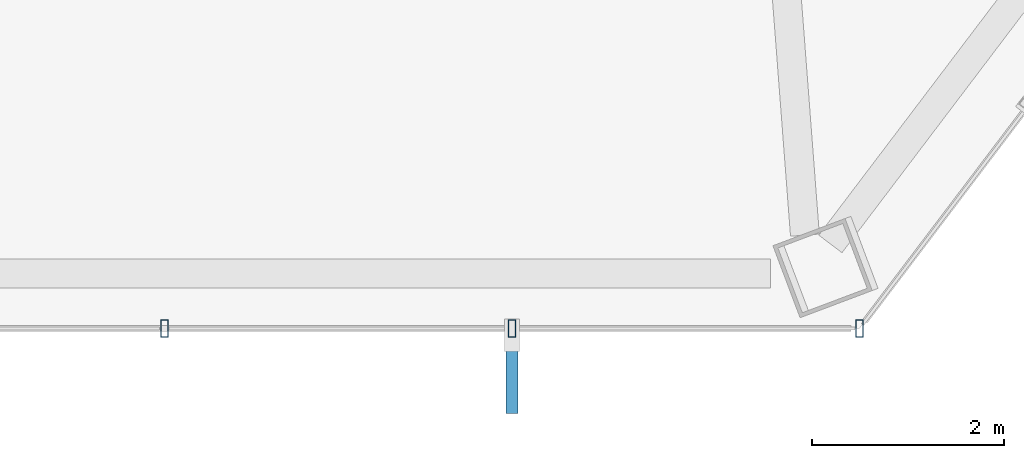
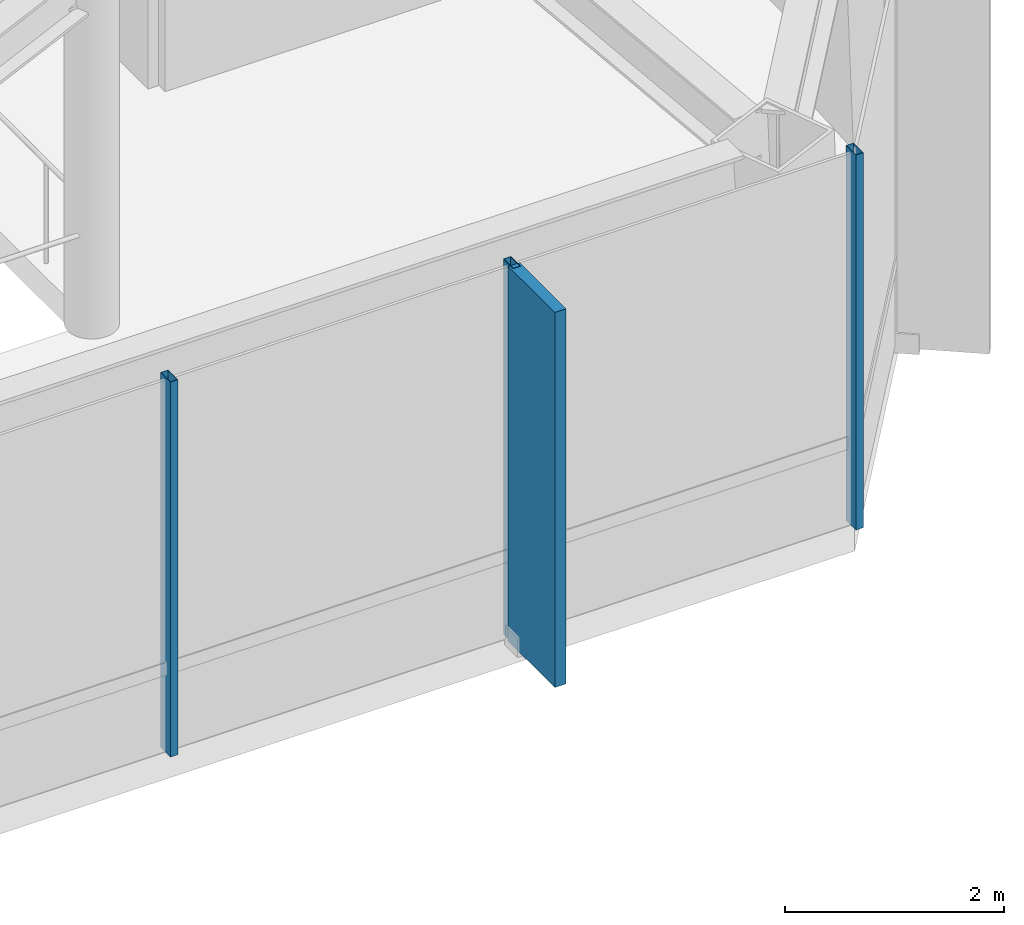
# One storey, part 8 of 25: 4 members, 1 element without a shape of its own.
"""IFC4 building model written with IfcOpenShell, lengths in metres."""

import ifcopenshell
import ifcopenshell.guid

model = None  # the IFC model being written
_history = None  # IfcOwnerHistory: only IFC2X3 demands one
_inside = {}  # id of a spatial element -> (the spatial element, [elements in it])
_under = {}  # id of a project, library or spatial element -> (it, [spatial elements below it])
_declared = {}  # id of a project -> (the project, [libraries it declares])
_typed = {}  # id of a type object -> (the type object, [elements of that type])
_made_of = {}  # id of a material, layer set ... -> (it, [elements and type objects made of it])


def new_model(schema):
    """Start an empty IFC model of exactly this schema.

    Asked for "IFC4X3", IfcOpenShell would pick the latest addendum, in which some entities
    have other attributes; the version numbers below select the first issue.
    IFC2X3 requires an IfcOwnerHistory on every rooted entity: one is made here for all.
    """
    global model, _history
    if schema == "IFC4X3":
        model = ifcopenshell.file(schema_version=(4, 3, 0, 0))
    else:
        model = ifcopenshell.file(schema=schema)
    _inside.clear()
    _under.clear()
    _declared.clear()
    _typed.clear()
    _made_of.clear()
    _history = None
    if model.schema == "IFC2X3":
        org = make("IfcOrganization", Name="unknown")
        user = make(
            "IfcPersonAndOrganization",
            ThePerson=make("IfcPerson", FamilyName="unknown"),
            TheOrganization=org,
        )
        app = make(
            "IfcApplication",
            ApplicationDeveloper=org,
            Version="unknown",
            ApplicationFullName="unknown",
            ApplicationIdentifier="unknown",
        )
        _history = make(
            "IfcOwnerHistory",
            OwningUser=user,
            OwningApplication=app,
            ChangeAction="ADDED",
            CreationDate=0,
        )
    return model


def make(cls, **values):
    """One entity of the class cls with the attributes given. An attribute that is None is left unset."""
    return model.create_entity(
        cls, **{name: value for name, value in values.items() if value is not None}
    )


def rooted(cls, **values):
    """An entity with a GlobalId (a new one), such as an element, a storey or a relation."""
    return make(cls, GlobalId=ifcopenshell.guid.new(), OwnerHistory=_history, **values)


def si_unit(unit_type, name, prefix=None):
    """IfcSIUnit, for example si_unit("LENGTHUNIT", "METRE", prefix="MILLI")."""
    return make("IfcSIUnit", UnitType=unit_type, Prefix=prefix, Name=name)


def assignment(units):
    """IfcUnitAssignment: the units of a project."""
    return None if units is None else make("IfcUnitAssignment", Units=units)


def point(xyz):
    """IfcCartesianPoint."""
    return None if xyz is None else make("IfcCartesianPoint", Coordinates=xyz)


def direction(xyz):
    """IfcDirection."""
    return None if xyz is None else make("IfcDirection", DirectionRatios=xyz)


def frame(location, z_axis=None, x_axis=None):
    """IfcAxis2Placement3D, a coordinate frame: its origin and axes. An axis left out is left unset."""
    return make(
        "IfcAxis2Placement3D",
        Location=point(location),
        Axis=direction(z_axis),
        RefDirection=direction(x_axis),
    )


def frame_2d(location, x_axis=None):
    """IfcAxis2Placement2D, a coordinate frame in the plane: its origin and x axis."""
    return make(
        "IfcAxis2Placement2D", Location=point(location), RefDirection=direction(x_axis)
    )


def origin():
    """The frame at (0, 0, 0) with its axes left unset."""
    return frame((0.0, 0.0, 0.0))


def origin_2d():
    """The frame at (0, 0) in the plane with its x axis left unset."""
    return frame_2d((0.0, 0.0))


def place(relative_to, where):
    """IfcLocalPlacement: puts the frame where relative to a parent placement (None: the world)."""
    return make(
        "IfcLocalPlacement", PlacementRelTo=relative_to, RelativePlacement=where
    )


def context(
    kind, dimensions, precision=None, world=None, true_north=None, identifier=None
):
    """IfcGeometricRepresentationContext, for example the 3D "Model" context."""
    return make(
        "IfcGeometricRepresentationContext",
        ContextIdentifier=identifier,
        ContextType=kind,
        CoordinateSpaceDimension=dimensions,
        Precision=precision,
        WorldCoordinateSystem=world,
        TrueNorth=true_north,
    )


def subcontext(parent, identifier, kind, view, scale=None):
    """IfcGeometricRepresentationSubContext, for example "Body" below "Model"."""
    return make(
        "IfcGeometricRepresentationSubContext",
        ContextIdentifier=identifier,
        ContextType=kind,
        ParentContext=parent,
        TargetScale=scale,
        TargetView=view,
    )


def project(units=None, contexts=None):
    """IfcProject with its units and contexts."""
    return rooted(
        "IfcProject",
        Name="project",
        RepresentationContexts=contexts,
        UnitsInContext=assignment(units),
    )


def spatial(cls, under=None, at=None, **own):
    """A site, building, storey or space (cls), placed at a placement, below another one or the project."""
    s = rooted(cls, ObjectPlacement=at, **own)
    if under is not None:
        _under.setdefault(under.id(), (under, []))[1].append(s)
    return s


def profile(cls, at=None, kind="AREA", **sizes):
    """A parametric profile (cls). Its sizes go by their IFC names, for example OverallWidth=200.0."""
    return make(cls, ProfileType=kind, Position=at, **sizes)


def rectangle(**sizes):
    """IfcRectangleProfileDef."""
    return profile("IfcRectangleProfileDef", **sizes)


def hollow_rectangle(**sizes):
    """IfcRectangleHollowProfileDef."""
    return profile("IfcRectangleHollowProfileDef", **sizes)


def extrude(swept, where, along, depth):
    """IfcExtrudedAreaSolid: the profile swept, set in the frame where, extruded along a direction by depth."""
    return make(
        "IfcExtrudedAreaSolid",
        SweptArea=swept,
        Position=where,
        ExtrudedDirection=direction(along),
        Depth=depth,
    )


def shape(context_of_items, identifier, shape_type, items):
    """IfcShapeRepresentation: the items that make up one representation, for example the "Body"."""
    return make(
        "IfcShapeRepresentation",
        ContextOfItems=context_of_items,
        RepresentationIdentifier=identifier,
        RepresentationType=shape_type,
        Items=items,
    )


def material(Name=None, Category=None):
    """IfcMaterial."""
    return make("IfcMaterial", Name=Name, Category=Category)


def layer(
    of_material, thickness, ventilated=None, Name=None, Category=None, Priority=None
):
    """IfcMaterialLayer: one layer of a wall or slab, of a material (None: an air gap)."""
    return make(
        "IfcMaterialLayer",
        Material=of_material,
        LayerThickness=thickness,
        IsVentilated=ventilated,
        Name=Name,
        Category=Category,
        Priority=Priority,
    )


def layer_set(layers, Name=None):
    """IfcMaterialLayerSet."""
    return make("IfcMaterialLayerSet", MaterialLayers=layers, LayerSetName=Name)


def material_profile(
    of_material, cross_section, Name=None, Category=None, Priority=None
):
    """IfcMaterialProfile: a cross section and its material."""
    return make(
        "IfcMaterialProfile",
        Name=Name,
        Material=of_material,
        Profile=cross_section,
        Priority=Priority,
        Category=Category,
    )


def profile_set(profiles, Name=None, composite=None):
    """IfcMaterialProfileSet."""
    return make(
        "IfcMaterialProfileSet",
        Name=Name,
        MaterialProfiles=profiles,
        CompositeProfile=composite,
    )


def made_of(thing, what):
    """Note that an element or type object is made of a material, layer set ...; save() writes the relation."""
    if what is not None:
        _made_of.setdefault(what.id(), (what, []))[1].append(thing)
    return thing


def type_object(cls, material=None, **own):
    """A type object (cls), such as IfcWallType, which elements share."""
    return made_of(rooted(cls, **own), material)


def element(
    cls,
    number,
    at=None,
    inside=None,
    cuts=None,
    type_object=None,
    material=None,
    context=None,
    identifier="Body",
    shape_type=None,
    held_by="IfcProductDefinitionShape",
    body=None,
    shapes=None,
    **own,
):
    """One element of the class cls, such as IfcWall. Its Tag is "e" and its number.

    at: its placement. inside: the storey or other place that contains it. cuts: it is an
    opening in that element (IfcRelVoidsElement). A single representation is given by context,
    identifier, shape_type and body (its items); several are given by shapes. held_by: the class
    of the entity that holds the representations. save() writes the other relations.
    """
    e = rooted(cls, Tag="e%d" % number, ObjectPlacement=at, **own)
    if body is not None:
        shapes = [shape(context, identifier, shape_type, body)]
    if shapes is not None:
        e.Representation = make(held_by, Representations=shapes)
    if inside is not None:
        _inside.setdefault(inside.id(), (inside, []))[1].append(e)
    if cuts is not None:
        rooted(
            "IfcRelVoidsElement", RelatingBuildingElement=cuts, RelatedOpeningElement=e
        )
    if type_object is not None:
        _typed.setdefault(type_object.id(), (type_object, []))[1].append(e)
    return made_of(e, material)


def aggregate(whole, parts):
    """IfcRelAggregates: a whole, such as a stair, and the parts it consists of."""
    return rooted("IfcRelAggregates", RelatingObject=whole, RelatedObjects=parts)


def save(model, path):
    """Write the relations noted so far, then the file.

    IfcRelAggregates (storeys below a building ...), IfcRelContainedInSpatialStructure (elements
    in a storey), IfcRelDefinesByType, IfcRelAssociatesMaterial and IfcRelDeclares: one each for
    every whole, place, type object, material and project.
    """
    for whole, parts in _under.values():
        aggregate(whole, parts)
    for where, things in _inside.values():
        rooted(
            "IfcRelContainedInSpatialStructure",
            RelatedElements=things,
            RelatingStructure=where,
        )
    for kind, things in _typed.values():
        rooted("IfcRelDefinesByType", RelatedObjects=things, RelatingType=kind)
    for what, things in _made_of.values():
        rooted("IfcRelAssociatesMaterial", RelatedObjects=things, RelatingMaterial=what)
    for by, libraries in _declared.values():
        rooted("IfcRelDeclares", RelatingContext=by, RelatedDefinitions=libraries)
    model.write(path)


model = new_model("IFC4")

# Units and contexts
model_context = context("Model", 3, precision=1e-05, world=origin(), true_north=direction((0.0, 1.0)))
body_context = subcontext(model_context, "Body", "Model", "MODEL_VIEW")
ifc_project = project(units=[si_unit("LENGTHUNIT", "METRE"), si_unit("AREAUNIT", "SQUARE_METRE"), si_unit("VOLUMEUNIT", "CUBIC_METRE"), si_unit("PLANEANGLEUNIT", "RADIAN"), si_unit("MASSUNIT", "GRAM", prefix="KILO")], contexts=[model_context])

# Site, building, storey
site_placement = place(None, origin())
site = spatial("IfcSite", under=ifc_project, at=site_placement, CompositionType="ELEMENT")
building_placement = place(site_placement, origin())
building = spatial("IfcBuilding", under=site, at=building_placement, Name="Zarrinselat Tower", CompositionType="ELEMENT")
storey_placement = place(building_placement, frame((0.0, 0.0, 119.0)))
storey = spatial("IfcBuildingStorey", under=building, at=storey_placement, Name="L28", CompositionType="ELEMENT", Elevation=119.0)

# Curtain wall, members
ifc_material_1 = material(Name="Extruded Aluminium Alloy EN AW-6063 T6", Category="aluminium")
ifc_layer = layer(ifc_material_1, 0.195068359375)
ifc_layer_set = layer_set([ifc_layer], Name="Extruded Aluminium Alloy EN AW-6063 T6")
curtain_wall_type = type_object("IfcCurtainWallType", Name="CWS-GDN", PredefinedType="NOTDEFINED", material=ifc_layer_set)
curtain_wall_placement = place(storey_placement, origin())
curtain_wall = element("IfcCurtainWall", 1, at=curtain_wall_placement, inside=storey, type_object=curtain_wall_type, Name="L28 Unitised Curtain Wall CW-L28-E01", PredefinedType="NOTDEFINED")
ifc_material_2 = material(Name="Extruded Aluminium Alloy EN AW-6063 T6", Category="aluminium")
ifc_material_profile_1 = material_profile(ifc_material_2, hollow_rectangle(XDim=0.080078125, YDim=0.179931640625, WallThickness=0.0048828125, at=origin_2d()), Name="RHS 180x80x5")
ifc_profile_set_1 = profile_set([ifc_material_profile_1], Name="Extruded Aluminium Alloy EN AW-6063 T6")
member_type_1 = type_object("IfcMemberType", Name="MEM-CW-MUL", PredefinedType="MULLION", material=ifc_profile_set_1)
member_1_placement = place(storey_placement, frame((47.432373046875, 18.147216796875, 0.0), z_axis=(0.0, 0.0, 1.0), x_axis=(-1.0, 0.0, 0.0)))
member_1 = element("IfcMember", 2, at=member_1_placement, type_object=member_type_1, Name="CW-L28-E01 Mullion 0", PredefinedType="MULLION", context=body_context, shape_type="SweptSolid", body=[
    extrude(hollow_rectangle(XDim=0.080078125, YDim=0.179931640625, WallThickness=0.0048828125, at=origin_2d()), origin(), (0.0, 0.0, 1.0), 4.179931640625),
])
member_2_placement = place(storey_placement, frame((43.8193359375, 18.147216796875, 0.0), z_axis=(0.0, 0.0, 1.0), x_axis=(-1.0, 0.0, 0.0)))
member_2 = element("IfcMember", 3, at=member_2_placement, type_object=member_type_1, Name="CW-L28-E01 Mullion 1", PredefinedType="MULLION", context=body_context, shape_type="SweptSolid", body=[
    extrude(hollow_rectangle(XDim=0.080078125, YDim=0.179931640625, WallThickness=0.0048828125, at=origin_2d()), origin(), (0.0, 0.0, 1.0), 4.179931640625),
])
member_3_placement = place(storey_placement, frame((40.20654296875, 18.147216796875, 0.0), z_axis=(0.0, 0.0, 1.0), x_axis=(-1.0, 0.0, 0.0)))
member_3 = element("IfcMember", 4, at=member_3_placement, type_object=member_type_1, Name="CW-L28-E01 Mullion 2", PredefinedType="MULLION", context=body_context, shape_type="SweptSolid", body=[
    extrude(hollow_rectangle(XDim=0.080078125, YDim=0.179931640625, WallThickness=0.0048828125, at=origin_2d()), origin(), (0.0, 0.0, 1.0), 4.179931640625),
])
ifc_material_3 = material(Name="Honed Cream Travertine Stone", Category="masonry")
ifc_material_profile_2 = material_profile(ifc_material_3, rectangle(XDim=0.1201171875, YDim=0.85009765625, at=origin_2d()), Name="FIN 850x120")
ifc_profile_set_2 = profile_set([ifc_material_profile_2], Name="Honed Cream Travertine Stone")
member_type_2 = type_object("IfcMemberType", Name="MEM-STONE-FIN", PredefinedType="USERDEFINED", material=ifc_profile_set_2)
member_4_placement = place(storey_placement, frame((43.8193359375, 17.68701171875, 0.0), z_axis=(0.0, 0.0, 1.0), x_axis=(-1.0, 0.0, 0.0)))
member_4 = element("IfcMember", 5, at=member_4_placement, type_object=member_type_2, Name="L28 Stone Shading Fin CW-L28-E01-01", ObjectType="FIN", PredefinedType="USERDEFINED", context=body_context, shape_type="SweptSolid", body=[
    extrude(rectangle(XDim=0.1201171875, YDim=0.85009765625, at=origin_2d()), origin(), (0.0, 0.0, 1.0), 4.179931640625),
])
aggregate(curtain_wall, [member_1, member_2, member_4, member_3])

save(model, "model.ifc")
